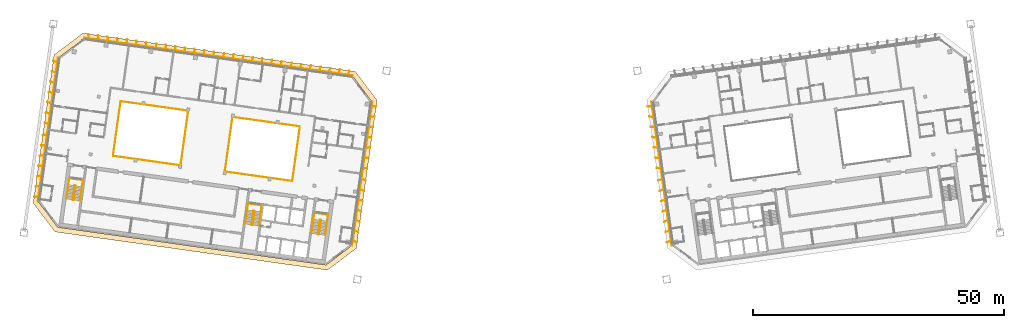
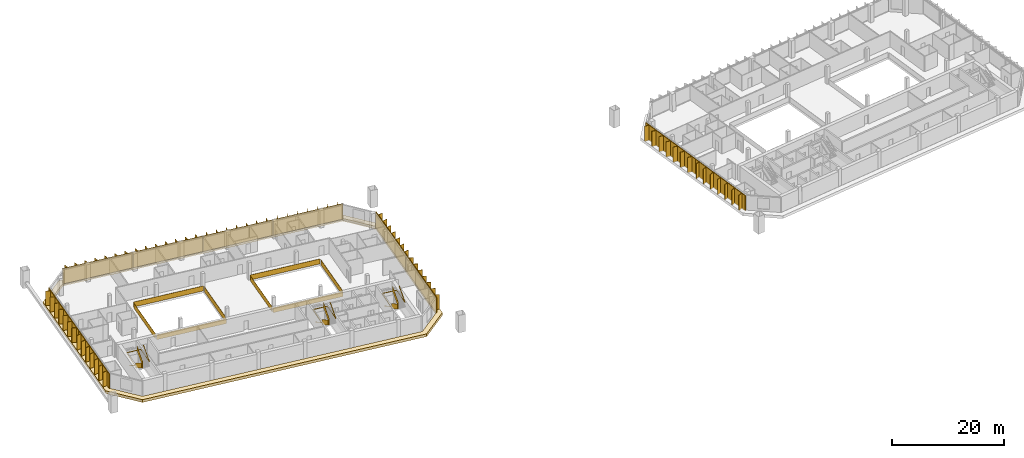
# One storey, part 30 of 31: 14 railings, 10 shading devices, 1 covering.
"""IFC4 building model written with IfcOpenShell, lengths in metres."""

from ifc_helpers import new_model, si_unit, direction, frame, origin, origin_2d, place, context, subcontext, project, spatial, polyline, rectangle, outline, extrude, material, layer, layer_set, type_object, element, save


model = new_model("IFC4")

# Units and contexts
model_context = context("Model", 3, precision=1e-05, world=origin(), true_north=direction((0.0, 1.0)))
body_context = subcontext(model_context, "Body", "Model", "MODEL_VIEW")
ifc_project = project(units=[si_unit("LENGTHUNIT", "METRE"), si_unit("AREAUNIT", "SQUARE_METRE"), si_unit("VOLUMEUNIT", "CUBIC_METRE"), si_unit("PLANEANGLEUNIT", "RADIAN"), si_unit("MASSUNIT", "GRAM", prefix="KILO")], contexts=[model_context])

# Site, building, storey
site_placement = place(None, origin())
site = spatial("IfcSite", under=ifc_project, at=site_placement, CompositionType="ELEMENT")
building_placement = place(site_placement, origin())
building = spatial("IfcBuilding", under=site, at=building_placement, Name="Mirante Cascada Hotel Towers", CompositionType="ELEMENT")
storey_placement = place(building_placement, frame((0.0, 0.0, 157.4)))
storey = spatial("IfcBuildingStorey", under=building, at=storey_placement, Name="L36", CompositionType="ELEMENT", Elevation=157.4)

# Railings
ifc_material_1 = material(Name="Toughened glass with stainless steel handrail", Category="steel")
railing_type_1 = type_object("IfcRailingType", Name="Atrium guard 1100 glass balustrade", PredefinedType="GUARDRAIL", material=ifc_material_1)
railing_1_placement = place(storey_placement, frame((-43.8418, -3.4881, 0.0)))
element("IfcRailing", 1, at=railing_1_placement, inside=storey, type_object=railing_type_1, Name="GUARD 1-L36-1", PredefinedType="GUARDRAIL", context=body_context, shape_type="SweptSolid", body=[
    extrude(rectangle(XDim=0.048, YDim=0.048, at=origin_2d()), frame((0.0, 0.0, 1.076), z_axis=(-0.9902674, 0.1391775, 0.0), x_axis=(-0.1391775, -0.9902674, 0.0)), (0.0, 0.0, 1.0), 13.4792),
    extrude(rectangle(XDim=0.02, YDim=1.052, at=origin_2d()), frame((0.0, 0.0, 0.526), z_axis=(-0.9902674, 0.1391775, 0.0), x_axis=(-0.1391775, -0.9902674, 0.0)), (0.0, 0.0, 1.0), 13.4792),
])
railing_2_placement = place(storey_placement, frame((-55.6589, 9.2808, 0.0)))
element("IfcRailing", 2, at=railing_2_placement, inside=storey, type_object=railing_type_1, Name="GUARD 1-L36-2", PredefinedType="GUARDRAIL", context=body_context, shape_type="SweptSolid", body=[
    extrude(rectangle(XDim=0.048, YDim=0.048, at=origin_2d()), frame((0.0, 0.0, 1.076), z_axis=(0.9902685, -0.1391703, 0.0), x_axis=(0.1391703, 0.9902685, 0.0)), (0.0, 0.0, 1.0), 13.4792),
    extrude(rectangle(XDim=0.02, YDim=1.052, at=origin_2d()), frame((0.0, 0.0, 0.526), z_axis=(0.9902685, -0.1391703, 0.0), x_axis=(0.1391703, 0.9902685, 0.0)), (0.0, 0.0, 1.0), 13.4792),
])
railing_3_placement = place(storey_placement, frame((-66.1081, -0.3588, 0.0)))
element("IfcRailing", 3, at=railing_3_placement, inside=storey, type_object=railing_type_1, Name="GUARD 1-L36-3", PredefinedType="GUARDRAIL", context=body_context, shape_type="SweptSolid", body=[
    extrude(rectangle(XDim=0.048, YDim=0.048, at=origin_2d()), frame((0.0, 0.0, 1.076), z_axis=(-0.9902672, 0.1391793, 0.0), x_axis=(-0.1391793, -0.9902672, 0.0)), (0.0, 0.0, 1.0), 13.5149),
    extrude(rectangle(XDim=0.02, YDim=1.052, at=origin_2d()), frame((0.0, 0.0, 0.526), z_axis=(-0.9902672, 0.1391793, 0.0), x_axis=(-0.1391793, -0.9902672, 0.0)), (0.0, 0.0, 1.0), 13.5149),
    extrude(rectangle(XDim=0.048, YDim=0.048, at=origin_2d()), frame((-13.3834, 1.881, 1.076), z_axis=(0.9889364, -0.1483405, 0.0), x_axis=(0.1483405, 0.9889364, 0.0)), (0.0, 0.0, 1.0), 0.0061),
    extrude(rectangle(XDim=0.02, YDim=1.052, at=origin_2d()), frame((-13.3834, 1.881, 0.526), z_axis=(0.9889364, -0.1483405, 0.0), x_axis=(0.1483405, 0.9889364, 0.0)), (0.0, 0.0, 1.0), 0.0061),
])
railing_4_placement = place(storey_placement, frame((-77.9546, 12.4143, 0.0)))
element("IfcRailing", 4, at=railing_4_placement, inside=storey, type_object=railing_type_1, Name="GUARD 1-L36-4", PredefinedType="GUARDRAIL", context=body_context, shape_type="SweptSolid", body=[
    extrude(rectangle(XDim=0.048, YDim=0.048, at=origin_2d()), frame((0.0, 0.0, 1.076), z_axis=(-0.9912279, 0.1321637, 0.0), x_axis=(-0.1321637, -0.9912279, 0.0)), (0.0, 0.0, 1.0), 0.0061),
    extrude(rectangle(XDim=0.02, YDim=1.052, at=origin_2d()), frame((0.0, 0.0, 0.526), z_axis=(-0.9912279, 0.1321637, 0.0), x_axis=(-0.1321637, -0.9912279, 0.0)), (0.0, 0.0, 1.0), 0.0061),
    extrude(rectangle(XDim=0.048, YDim=0.048, at=origin_2d()), frame((-0.006, 0.0008, 1.076), z_axis=(0.9902682, -0.1391721, 0.0), x_axis=(0.1391721, 0.9902682, 0.0)), (0.0, 0.0, 1.0), 13.5149),
    extrude(rectangle(XDim=0.02, YDim=1.052, at=origin_2d()), frame((-0.006, 0.0008, 0.526), z_axis=(0.9902682, -0.1391721, 0.0), x_axis=(0.1391721, 0.9902682, 0.0)), (0.0, 0.0, 1.0), 13.5149),
])
railing_5_placement = place(storey_placement, frame((-78.0512, 12.1295, 0.0)))
element("IfcRailing", 5, at=railing_5_placement, inside=storey, type_object=railing_type_1, Name="GUARD 1-L36-5", PredefinedType="GUARDRAIL", context=body_context, shape_type="SweptSolid", body=[
    extrude(rectangle(XDim=0.048, YDim=0.048, at=origin_2d()), frame((0.0, 0.0, 1.076), z_axis=(-0.1391762, -0.9902676, 0.0), x_axis=(0.9902676, -0.1391762, 0.0)), (0.0, 0.0, 1.0), 10.4091),
    extrude(rectangle(XDim=0.02, YDim=1.052, at=origin_2d()), frame((0.0, 0.0, 0.526), z_axis=(-0.1391762, -0.9902676, 0.0), x_axis=(0.9902676, -0.1391762, 0.0)), (0.0, 0.0, 1.0), 10.4091),
])
railing_6_placement = place(storey_placement, frame((-66.0184, -0.0728, 0.0)))
element("IfcRailing", 6, at=railing_6_placement, inside=storey, type_object=railing_type_1, Name="GUARD 1-L36-6", PredefinedType="GUARDRAIL", context=body_context, shape_type="SweptSolid", body=[
    extrude(rectangle(XDim=0.048, YDim=0.048, at=origin_2d()), frame((0.0, 0.0, 1.076), z_axis=(0.1391721, 0.9902682, 0.0), x_axis=(-0.9902682, 0.1391721, 0.0)), (0.0, 0.0, 1.0), 10.4087),
    extrude(rectangle(XDim=0.02, YDim=1.052, at=origin_2d()), frame((0.0, 0.0, 0.526), z_axis=(0.1391721, 0.9902682, 0.0), x_axis=(-0.9902682, 0.1391721, 0.0)), (0.0, 0.0, 1.0), 10.4087),
])
railing_7_placement = place(storey_placement, frame((-55.7486, 8.9949, 0.0)))
element("IfcRailing", 7, at=railing_7_placement, inside=storey, type_object=railing_type_1, Name="GUARD 1-L36-7", PredefinedType="GUARDRAIL", context=body_context, shape_type="SweptSolid", body=[
    extrude(rectangle(XDim=0.048, YDim=0.048, at=origin_2d()), frame((0.0, 0.0, 1.076), z_axis=(-0.1391721, -0.9902682, 0.0), x_axis=(0.9902682, -0.1391721, 0.0)), (0.0, 0.0, 1.0), 10.4087),
    extrude(rectangle(XDim=0.02, YDim=1.052, at=origin_2d()), frame((0.0, 0.0, 0.526), z_axis=(-0.1391721, -0.9902682, 0.0), x_axis=(0.9902682, -0.1391721, 0.0)), (0.0, 0.0, 1.0), 10.4087),
])
railing_8_placement = place(storey_placement, frame((-43.7512, -3.2024, 0.0)))
element("IfcRailing", 8, at=railing_8_placement, inside=storey, type_object=railing_type_1, Name="GUARD 1-L36-8", PredefinedType="GUARDRAIL", context=body_context, shape_type="SweptSolid", body=[
    extrude(rectangle(XDim=0.048, YDim=0.048, at=origin_2d()), frame((0.0, 0.0, 1.076), z_axis=(0.1391776, 0.9902674, 0.0), x_axis=(-0.9902674, 0.1391776, 0.0)), (0.0, 0.0, 1.0), 10.409),
    extrude(rectangle(XDim=0.02, YDim=1.052, at=origin_2d()), frame((0.0, 0.0, 0.526), z_axis=(0.1391776, 0.9902674, 0.0), x_axis=(-0.9902674, 0.1391776, 0.0)), (0.0, 0.0, 1.0), 10.409),
])

# Covering
ifc_material_2 = material(Name="Precast concrete C40/50 white", Category="concrete")
ifc_layer = layer(ifc_material_2, 0.6)
ifc_layer_set = layer_set([ifc_layer], Name="Precast concrete SUNSHADE band 1000x600")
covering_type = type_object("IfcCoveringType", Name="Precast concrete SUNSHADE band 1000x600", PredefinedType="CLADDING", material=ifc_layer_set)
covering_placement = place(storey_placement, frame((0.0, 0.0, -0.45)))
element("IfcCovering", 9, at=covering_placement, inside=storey, type_object=covering_type, Name="Precast concrete SUNSHADE band T1 L36", PredefinedType="CLADDING", context=body_context, shape_type="SweptSolid", body=[
    extrude(outline(polyline([(-95.4528, -7.862), (-91.3015, 21.6761), (-85.5574, 26.0046), (-31.2272, 18.369), (-26.8987, 12.6249), (-31.05, -16.9132), (-36.7941, -21.2417), (-91.1243, -13.6061), (-95.4528, -7.862)]), holes=[polyline([(-27.9466, 12.3539), (-31.7765, 17.4364), (-85.2864, 24.9567), (-90.3689, 21.1268), (-94.4049, -7.591), (-90.575, -12.6735), (-37.0651, -20.1938), (-31.9826, -16.3639), (-27.9466, 12.3539)])]), origin(), (0.0, 0.0, 1.0), 0.6),
])

# Railings
ifc_material_3 = material(Name="Painted steel", Category="steel")
railing_type_2 = type_object("IfcRailingType", Name="Stair guard 1100 steel balustrade", PredefinedType="GUARDRAIL", material=ifc_material_3)
railing_9_placement = place(storey_placement, frame((-38.1178, -11.2603, 0.0)))
element("IfcRailing", 10, at=railing_9_placement, inside=storey, type_object=railing_type_2, Name="L36 ST1-A stair guard 1", PredefinedType="GUARDRAIL", context=body_context, shape_type="SweptSolid", body=[
    extrude(rectangle(XDim=0.048, YDim=0.048, at=origin_2d()), frame((0.0, 0.0, 1.076), z_axis=(-0.9903326, 0.1387133, 0.0), x_axis=(-0.1387133, -0.9903326, 0.0)), (0.0, 0.0, 1.0), 0.1499),
    extrude(rectangle(XDim=0.02, YDim=1.052, at=origin_2d()), frame((0.0, 0.0, 0.526), z_axis=(-0.9903326, 0.1387133, 0.0), x_axis=(-0.1387133, -0.9903326, 0.0)), (0.0, 0.0, 1.0), 0.1499),
    extrude(rectangle(XDim=0.048, YDim=0.048, at=origin_2d()), frame((-0.1485, 0.0208, 1.076), z_axis=(-0.7991505, -0.6011309, 0.0), x_axis=(0.6011309, -0.7991505, 0.0)), (0.0, 0.9254529, 0.3788627), 0.1866),
    extrude(rectangle(XDim=0.02, YDim=1.052, at=origin_2d()), frame((-0.1485, 0.0208, 0.526), z_axis=(-0.7991505, -0.6011309, 0.0), x_axis=(0.6011309, -0.7991505, 0.0)), (0.0, 0.9254529, 0.3788627), 0.1866),
    extrude(rectangle(XDim=0.048, YDim=0.048, at=origin_2d()), frame((-0.205, -0.0217, 1.2487), z_axis=(-0.139176, -0.9902677, 0.0), x_axis=(0.9902677, -0.139176, 0.0)), (0.0, 0.5250212, 0.8510891), 3.29),
    extrude(rectangle(XDim=0.02, YDim=1.052, at=origin_2d()), frame((-0.205, -0.0217, 0.6987), z_axis=(-0.139176, -0.9902677, 0.0), x_axis=(0.9902677, -0.139176, 0.0)), (0.0, 0.5250212, 0.8510891), 3.29),
    extrude(rectangle(XDim=0.048, YDim=0.048, at=origin_2d()), frame((-0.5947, -2.7945, 2.976), z_axis=(0.9270311, -0.3749843, 0.0), x_axis=(0.3749843, 0.9270311, 0.0)), (0.0, 0.0, 1.0), 0.2061),
    extrude(rectangle(XDim=0.02, YDim=1.052, at=origin_2d()), frame((-0.5947, -2.7945, 2.426), z_axis=(0.9270311, -0.3749843, 0.0), x_axis=(0.3749843, 0.9270311, 0.0)), (0.0, 0.0, 1.0), 0.2061),
    extrude(rectangle(XDim=0.048, YDim=0.048, at=origin_2d()), frame((-0.4036, -2.8718, 2.976), z_axis=(-0.9902408, 0.1393672, 0.0), x_axis=(-0.1393672, -0.9902408, 0.0)), (0.0, 0.0, 1.0), 0.15),
    extrude(rectangle(XDim=0.02, YDim=1.052, at=origin_2d()), frame((-0.4036, -2.8718, 2.426), z_axis=(-0.9902408, 0.1393672, 0.0), x_axis=(-0.1393672, -0.9902408, 0.0)), (0.0, 0.0, 1.0), 0.15),
    extrude(rectangle(XDim=0.048, YDim=0.048, at=origin_2d()), frame((-0.5521, -2.8509, 2.976), z_axis=(0.9944948, 0.1047858, 0.0), x_axis=(-0.1047858, 0.9944948, 0.0)), (0.0, 0.6422034, 0.7665343), 0.2689),
    extrude(rectangle(XDim=0.02, YDim=1.052, at=origin_2d()), frame((-0.5521, -2.8509, 2.426), z_axis=(0.9944948, 0.1047858, 0.0), x_axis=(-0.1047858, 0.9944948, 0.0)), (0.0, 0.6422034, 0.7665343), 0.2689),
    extrude(rectangle(XDim=0.048, YDim=0.048, at=origin_2d()), frame((-0.3471, -2.8293, 3.1487), z_axis=(0.139176, 0.9902677, 0.0), x_axis=(-0.9902677, 0.139176, 0.0)), (0.0, 0.5250212, 0.8510891), 3.29),
    extrude(rectangle(XDim=0.02, YDim=1.052, at=origin_2d()), frame((-0.3471, -2.8293, 2.5987), z_axis=(0.139176, 0.9902677, 0.0), x_axis=(-0.9902677, 0.139176, 0.0)), (0.0, 0.5250212, 0.8510891), 3.29),
])
railing_10_placement = place(storey_placement, frame((-51.3379, -9.4024, 0.0)))
element("IfcRailing", 11, at=railing_10_placement, inside=storey, type_object=railing_type_2, Name="L36 ST1-B stair guard 1", PredefinedType="GUARDRAIL", context=body_context, shape_type="SweptSolid", body=[
    extrude(rectangle(XDim=0.048, YDim=0.048, at=origin_2d()), frame((0.0, 0.0, 1.076), z_axis=(-0.9902408, 0.1393672, 0.0), x_axis=(-0.1393672, -0.9902408, 0.0)), (0.0, 0.0, 1.0), 0.15),
    extrude(rectangle(XDim=0.02, YDim=1.052, at=origin_2d()), frame((0.0, 0.0, 0.526), z_axis=(-0.9902408, 0.1393672, 0.0), x_axis=(-0.1393672, -0.9902408, 0.0)), (0.0, 0.0, 1.0), 0.15),
    extrude(rectangle(XDim=0.048, YDim=0.048, at=origin_2d()), frame((-0.1485, 0.0209, 1.076), z_axis=(-0.7984711, -0.6020331, 0.0), x_axis=(0.6020331, -0.7984711, 0.0)), (0.0, 0.9253398, 0.3791387), 0.1866),
    extrude(rectangle(XDim=0.02, YDim=1.052, at=origin_2d()), frame((-0.1485, 0.0209, 0.526), z_axis=(-0.7984711, -0.6020331, 0.0), x_axis=(0.6020331, -0.7984711, 0.0)), (0.0, 0.9253398, 0.3791387), 0.1866),
    extrude(rectangle(XDim=0.048, YDim=0.048, at=origin_2d()), frame((-0.205, -0.0217, 1.2487), z_axis=(-0.139181, -0.990267, 0.0), x_axis=(0.990267, -0.139181, 0.0)), (0.0, 0.5250347, 0.8510808), 3.2899),
    extrude(rectangle(XDim=0.02, YDim=1.052, at=origin_2d()), frame((-0.205, -0.0217, 0.6987), z_axis=(-0.139181, -0.990267, 0.0), x_axis=(0.990267, -0.139181, 0.0)), (0.0, 0.5250347, 0.8510808), 3.2899),
    extrude(rectangle(XDim=0.048, YDim=0.048, at=origin_2d()), frame((-0.5947, -2.7944, 2.976), z_axis=(0.9268624, -0.3754011, 0.0), x_axis=(0.3754011, 0.9268624, 0.0)), (0.0, 0.0, 1.0), 0.2062),
    extrude(rectangle(XDim=0.02, YDim=1.052, at=origin_2d()), frame((-0.5947, -2.7944, 2.426), z_axis=(0.9268624, -0.3754011, 0.0), x_axis=(0.3754011, 0.9268624, 0.0)), (0.0, 0.0, 1.0), 0.2062),
    extrude(rectangle(XDim=0.048, YDim=0.048, at=origin_2d()), frame((-0.4036, -2.8718, 2.976), z_axis=(-0.9902408, 0.1393672, 0.0), x_axis=(-0.1393672, -0.9902408, 0.0)), (0.0, 0.0, 1.0), 0.15),
    extrude(rectangle(XDim=0.02, YDim=1.052, at=origin_2d()), frame((-0.4036, -2.8718, 2.426), z_axis=(-0.9902408, 0.1393672, 0.0), x_axis=(-0.1393672, -0.9902408, 0.0)), (0.0, 0.0, 1.0), 0.15),
    extrude(rectangle(XDim=0.048, YDim=0.048, at=origin_2d()), frame((-0.5521, -2.8509, 2.976), z_axis=(0.9944441, 0.1052656, 0.0), x_axis=(-0.1052656, 0.9944441, 0.0)), (0.0, 0.6421842, 0.7665504), 0.2689),
    extrude(rectangle(XDim=0.02, YDim=1.052, at=origin_2d()), frame((-0.5521, -2.8509, 2.426), z_axis=(0.9944441, 0.1052656, 0.0), x_axis=(-0.1052656, 0.9944441, 0.0)), (0.0, 0.6421842, 0.7665504), 0.2689),
    extrude(rectangle(XDim=0.048, YDim=0.048, at=origin_2d()), frame((-0.3471, -2.8292, 3.1487), z_axis=(0.139181, 0.990267, 0.0), x_axis=(-0.990267, 0.139181, 0.0)), (0.0, 0.5250347, 0.8510808), 3.2899),
    extrude(rectangle(XDim=0.02, YDim=1.052, at=origin_2d()), frame((-0.3471, -2.8292, 2.5987), z_axis=(0.139181, 0.990267, 0.0), x_axis=(-0.990267, 0.139181, 0.0)), (0.0, 0.5250347, 0.8510808), 3.2899),
])
railing_11_placement = place(storey_placement, frame((-86.9875, -4.3922, 0.0)))
element("IfcRailing", 12, at=railing_11_placement, inside=storey, type_object=railing_type_2, Name="L36 ST1-C stair guard 1", PredefinedType="GUARDRAIL", context=body_context, shape_type="SweptSolid", body=[
    extrude(rectangle(XDim=0.048, YDim=0.048, at=origin_2d()), frame((0.0, 0.0, 1.076), z_axis=(-0.9902537, 0.1392753, 0.0), x_axis=(-0.1392753, -0.9902537, 0.0)), (0.0, 0.0, 1.0), 0.1501),
    extrude(rectangle(XDim=0.02, YDim=1.052, at=origin_2d()), frame((0.0, 0.0, 0.526), z_axis=(-0.9902537, 0.1392753, 0.0), x_axis=(-0.1392753, -0.9902537, 0.0)), (0.0, 0.0, 1.0), 0.1501),
    extrude(rectangle(XDim=0.048, YDim=0.048, at=origin_2d()), frame((-0.1486, 0.0209, 1.076), z_axis=(-0.7986386, -0.601811, 0.0), x_axis=(0.601811, -0.7986386, 0.0)), (0.0, 0.925603, 0.3784959), 0.1866),
    extrude(rectangle(XDim=0.02, YDim=1.052, at=origin_2d()), frame((-0.1486, 0.0209, 0.526), z_axis=(-0.7986386, -0.601811, 0.0), x_axis=(0.601811, -0.7986386, 0.0)), (0.0, 0.925603, 0.3784959), 0.1866),
    extrude(rectangle(XDim=0.048, YDim=0.048, at=origin_2d()), frame((-0.205, -0.0216, 1.2487), z_axis=(-0.139176, -0.9902677, 0.0), x_axis=(0.9902677, -0.139176, 0.0)), (0.0, 0.5250212, 0.8510891), 3.29),
    extrude(rectangle(XDim=0.02, YDim=1.052, at=origin_2d()), frame((-0.205, -0.0216, 0.6987), z_axis=(-0.139176, -0.9902677, 0.0), x_axis=(0.9902677, -0.139176, 0.0)), (0.0, 0.5250212, 0.8510891), 3.29),
    extrude(rectangle(XDim=0.048, YDim=0.048, at=origin_2d()), frame((-0.5947, -2.7944, 2.976), z_axis=(0.9270311, -0.3749843, 0.0), x_axis=(0.3749843, 0.9270311, 0.0)), (0.0, 0.0, 1.0), 0.2061),
    extrude(rectangle(XDim=0.02, YDim=1.052, at=origin_2d()), frame((-0.5947, -2.7944, 2.426), z_axis=(0.9270311, -0.3749843, 0.0), x_axis=(0.3749843, 0.9270311, 0.0)), (0.0, 0.0, 1.0), 0.2061),
    extrude(rectangle(XDim=0.048, YDim=0.048, at=origin_2d()), frame((-0.4036, -2.8717, 2.976), z_axis=(-0.9903454, 0.1386217, 0.0), x_axis=(-0.1386217, -0.9903454, 0.0)), (0.0, 0.0, 1.0), 0.15),
    extrude(rectangle(XDim=0.02, YDim=1.052, at=origin_2d()), frame((-0.4036, -2.8717, 2.426), z_axis=(-0.9903454, 0.1386217, 0.0), x_axis=(-0.1386217, -0.9903454, 0.0)), (0.0, 0.0, 1.0), 0.15),
    extrude(rectangle(XDim=0.048, YDim=0.048, at=origin_2d()), frame((-0.5522, -2.8509, 2.976), z_axis=(0.9944441, 0.1052656, 0.0), x_axis=(-0.1052656, 0.9944441, 0.0)), (0.0, 0.6421842, 0.7665504), 0.2689),
    extrude(rectangle(XDim=0.02, YDim=1.052, at=origin_2d()), frame((-0.5522, -2.8509, 2.426), z_axis=(0.9944441, 0.1052656, 0.0), x_axis=(-0.1052656, 0.9944441, 0.0)), (0.0, 0.6421842, 0.7665504), 0.2689),
    extrude(rectangle(XDim=0.048, YDim=0.048, at=origin_2d()), frame((-0.3472, -2.8292, 3.1487), z_axis=(0.139176, 0.9902677, 0.0), x_axis=(-0.9902677, 0.139176, 0.0)), (0.0, 0.5250212, 0.8510891), 3.29),
    extrude(rectangle(XDim=0.02, YDim=1.052, at=origin_2d()), frame((-0.3472, -2.8292, 2.5987), z_axis=(0.139176, 0.9902677, 0.0), x_axis=(-0.9902677, 0.139176, 0.0)), (0.0, 0.5250212, 0.8510891), 3.29),
])
ifc_material_4 = material(Name="Painted steel", Category="steel")
railing_type_3 = type_object("IfcRailingType", Name="Stair handrail 900 steel tube", PredefinedType="HANDRAIL", material=ifc_material_4)
railing_12_placement = place(storey_placement, frame((-39.5606, -11.1081, 0.1727)))
element("IfcRailing", 13, at=railing_12_placement, inside=storey, type_object=railing_type_3, Name="L36 ST1-A stair handrail 1", PredefinedType="HANDRAIL", context=body_context, shape_type="SweptSolid", body=[
    extrude(rectangle(XDim=0.048, YDim=0.048, at=origin_2d()), frame((0.0, 0.0, 0.876), z_axis=(-0.139181, -0.990267, 0.0), x_axis=(0.990267, -0.139181, 0.0)), (0.0, 0.5250347, 0.8510808), 3.2899),
    extrude(rectangle(XDim=0.048, YDim=0.048, at=origin_2d()), frame((-0.3897, -2.7727, 2.6033), z_axis=(0.1391707, 0.9902684, 0.0), x_axis=(-0.9902684, 0.1391707, 0.0)), (0.0, 0.0420846, 0.999114), 4.1036),
    extrude(rectangle(XDim=0.048, YDim=0.048, at=origin_2d()), frame((0.1809, 1.2874, 2.776), z_axis=(0.9902691, -0.1391657, 0.0), x_axis=(0.1391657, 0.9902691, 0.0)), (0.0, 0.0, 1.0), 2.75),
    extrude(rectangle(XDim=0.048, YDim=0.048, at=origin_2d()), frame((2.9041, 0.9047, 2.776), z_axis=(-0.1391707, -0.9902684, 0.0), x_axis=(0.9902684, -0.1391707, 0.0)), (0.0, 0.0, 1.0), 4.1),
    extrude(rectangle(XDim=0.048, YDim=0.048, at=origin_2d()), frame((2.3335, -3.1554, 2.776), z_axis=(0.139181, 0.990267, 0.0), x_axis=(-0.990267, 0.139181, 0.0)), (0.0, 0.5250347, 0.8510808), 3.2899),
])
railing_13_placement = place(storey_placement, frame((-52.7807, -9.2501, 0.1727)))
element("IfcRailing", 14, at=railing_13_placement, inside=storey, type_object=railing_type_3, Name="L36 ST1-B stair handrail 1", PredefinedType="HANDRAIL", context=body_context, shape_type="SweptSolid", body=[
    extrude(rectangle(XDim=0.048, YDim=0.048, at=origin_2d()), frame((0.0, 0.0, 0.876), z_axis=(-0.139181, -0.990267, 0.0), x_axis=(0.990267, -0.139181, 0.0)), (0.0, 0.5250347, 0.8510808), 3.2899),
    extrude(rectangle(XDim=0.048, YDim=0.048, at=origin_2d()), frame((-0.3897, -2.7727, 2.6033), z_axis=(0.1391707, 0.9902684, 0.0), x_axis=(-0.9902684, 0.1391707, 0.0)), (0.0, 0.0420846, 0.999114), 4.1036),
    extrude(rectangle(XDim=0.048, YDim=0.048, at=origin_2d()), frame((0.1809, 1.2874, 2.776), z_axis=(0.9902641, -0.1392013, 0.0), x_axis=(0.1392013, 0.9902641, 0.0)), (0.0, 0.0, 1.0), 2.75),
    extrude(rectangle(XDim=0.048, YDim=0.048, at=origin_2d()), frame((2.9041, 0.9046, 2.776), z_axis=(-0.1391707, -0.9902684, 0.0), x_axis=(0.9902684, -0.1391707, 0.0)), (0.0, 0.0, 1.0), 4.1),
    extrude(rectangle(XDim=0.048, YDim=0.048, at=origin_2d()), frame((2.3335, -3.1555, 2.776), z_axis=(0.139176, 0.9902677, 0.0), x_axis=(-0.9902677, 0.139176, 0.0)), (0.0, 0.5250212, 0.8510891), 3.29),
])
railing_14_placement = place(storey_placement, frame((-88.4304, -4.2399, 0.1727)))
element("IfcRailing", 15, at=railing_14_placement, inside=storey, type_object=railing_type_3, Name="L36 ST1-C stair handrail 1", PredefinedType="HANDRAIL", context=body_context, shape_type="SweptSolid", body=[
    extrude(rectangle(XDim=0.048, YDim=0.048, at=origin_2d()), frame((0.0, 0.0, 0.876), z_axis=(-0.139181, -0.990267, 0.0), x_axis=(0.990267, -0.139181, 0.0)), (0.0, 0.5250347, 0.8510808), 3.2899),
    extrude(rectangle(XDim=0.048, YDim=0.048, at=origin_2d()), frame((-0.3897, -2.7727, 2.6033), z_axis=(0.1391947, 0.990265, 0.0), x_axis=(-0.990265, 0.1391947, 0.0)), (0.0, 0.0420845, 0.9991141), 4.1036),
    extrude(rectangle(XDim=0.048, YDim=0.048, at=origin_2d()), frame((0.181, 1.2874, 2.776), z_axis=(0.9902691, -0.1391657, 0.0), x_axis=(0.1391657, 0.9902691, 0.0)), (0.0, 0.0, 1.0), 2.75),
    extrude(rectangle(XDim=0.048, YDim=0.048, at=origin_2d()), frame((2.9042, 0.9047, 2.776), z_axis=(-0.1391707, -0.9902684, 0.0), x_axis=(0.9902684, -0.1391707, 0.0)), (0.0, 0.0, 1.0), 4.1),
    extrude(rectangle(XDim=0.048, YDim=0.048, at=origin_2d()), frame((2.3336, -3.1554, 2.776), z_axis=(0.139181, 0.990267, 0.0), x_axis=(-0.990267, 0.139181, 0.0)), (0.0, 0.5250347, 0.8510808), 3.2899),
])

# Shading devices
ifc_material_5 = material(Name="White precast concrete C50/60 fin", Category="concrete")
shading_device_type = type_object("IfcShadingDeviceType", Name="Vertical fin set 4500x900", PredefinedType="USERDEFINED", material=ifc_material_5)
shading_device_1_placement = place(storey_placement, origin())
element("IfcShadingDevice", 16, at=shading_device_1_placement, inside=storey, type_object=shading_device_type, Name="FIN T1 L36 front 1", ObjectType="FIN", PredefinedType="USERDEFINED", context=body_context, shape_type="SweptSolid", body=[
    extrude(outline(polyline([(-72.8158, 23.3556), (-71.888, 23.2252), (-71.9089, 23.0766), (-85.2864, 24.9567), (-85.2655, 25.1053), (-84.3643, 24.9786), (-84.4663, 25.8099), (-84.3869, 25.8196), (-84.2822, 24.9671), (-82.4532, 24.71), (-82.5553, 25.5413), (-82.4759, 25.551), (-82.3712, 24.6985), (-80.5421, 24.4414), (-80.6442, 25.2727), (-80.5648, 25.2825), (-80.4601, 24.4299), (-78.6311, 24.1728), (-78.7331, 25.0041), (-78.6537, 25.0139), (-78.549, 24.1613), (-76.72, 23.9043), (-76.8221, 24.7355), (-76.7427, 24.7453), (-76.638, 23.8927), (-74.8089, 23.6357), (-74.911, 24.467), (-74.8316, 24.4767), (-74.7269, 23.6242), (-72.8979, 23.3671), (-72.9999, 24.1984), (-72.9205, 24.2081), (-72.8158, 23.3556)])), origin(), (0.0, 0.0, 1.0), 3.35),
])
shading_device_2_placement = place(storey_placement, origin())
element("IfcShadingDevice", 17, at=shading_device_2_placement, inside=storey, type_object=shading_device_type, Name="FIN T1 L36 front 2", ObjectType="FIN", PredefinedType="USERDEFINED", context=body_context, shape_type="SweptSolid", body=[
    extrude(outline(polyline([(-59.4307, 21.4744), (-58.5106, 21.3451), (-58.5315, 21.1966), (-71.9089, 23.0766), (-71.888, 23.2252), (-70.9766, 23.0971), (-70.9323, 23.9422), (-70.8524, 23.938), (-70.8971, 23.0859), (-69.0655, 22.8285), (-69.0213, 23.6737), (-68.9414, 23.6695), (-68.986, 22.8173), (-67.1545, 22.5599), (-67.1102, 23.4051), (-67.0303, 23.4009), (-67.075, 22.5487), (-65.2434, 22.2913), (-65.1991, 23.1365), (-65.1192, 23.1323), (-65.1639, 22.2802), (-63.3323, 22.0228), (-63.2881, 22.8679), (-63.2082, 22.8637), (-63.2528, 22.0116), (-61.4213, 21.7542), (-61.377, 22.5993), (-61.2971, 22.5951), (-61.3418, 21.743), (-59.5102, 21.4856), (-59.4659, 22.3307), (-59.386, 22.3266), (-59.4307, 21.4744)])), origin(), (0.0, 0.0, 1.0), 3.35),
])
shading_device_3_placement = place(storey_placement, origin())
element("IfcShadingDevice", 18, at=shading_device_3_placement, inside=storey, type_object=shading_device_type, Name="FIN T1 L36 front 3", ObjectType="FIN", PredefinedType="USERDEFINED", context=body_context, shape_type="SweptSolid", body=[
    extrude(outline(polyline([(-46.0446, 19.5931), (-45.1331, 19.465), (-45.154, 19.3165), (-58.5315, 21.1966), (-58.5106, 21.3451), (-57.5905, 21.2158), (-57.3985, 22.0472), (-57.3206, 22.0292), (-57.511, 21.2046), (-55.6794, 20.9472), (-55.4875, 21.7786), (-55.4095, 21.7606), (-55.5999, 20.936), (-53.7683, 20.6786), (-53.5764, 21.5101), (-53.4984, 21.4921), (-53.6888, 20.6674), (-51.8573, 20.41), (-51.6653, 21.2415), (-51.5874, 21.2235), (-51.7778, 20.3989), (-49.9462, 20.1415), (-49.7543, 20.9729), (-49.6763, 20.9549), (-49.8667, 20.1303), (-48.0351, 19.8729), (-47.8432, 20.7043), (-47.7652, 20.6863), (-47.9556, 19.8617), (-46.1241, 19.6043), (-45.9321, 20.4357), (-45.8542, 20.4177), (-46.0446, 19.5931)])), origin(), (0.0, 0.0, 1.0), 3.35),
])
shading_device_4_placement = place(storey_placement, origin())
element("IfcShadingDevice", 19, at=shading_device_4_placement, inside=storey, type_object=shading_device_type, Name="FIN T1 L36 front 4", ObjectType="FIN", PredefinedType="USERDEFINED", context=body_context, shape_type="SweptSolid", body=[
    extrude(outline(polyline([(-32.6569, 17.7116), (-31.7556, 17.5849), (-31.7765, 17.4364), (-45.154, 19.3165), (-45.1331, 19.465), (-44.2053, 19.3346), (-43.8697, 20.1253), (-43.7961, 20.094), (-44.1233, 19.3231), (-42.2943, 19.066), (-41.9586, 19.8567), (-41.885, 19.8255), (-42.2122, 19.0545), (-40.3832, 18.7975), (-40.0476, 19.5881), (-39.9739, 19.5569), (-40.3012, 18.7859), (-38.4721, 18.5289), (-38.1365, 19.3195), (-38.0629, 19.2883), (-38.3901, 18.5174), (-36.5611, 18.2603), (-36.2254, 19.051), (-36.1518, 19.0197), (-36.479, 18.2488), (-34.65, 17.9917), (-34.3144, 18.7824), (-34.2407, 18.7511), (-34.568, 17.9802), (-32.7389, 17.7231), (-32.4033, 18.5138), (-32.3297, 18.4825), (-32.6569, 17.7116)])), origin(), (0.0, 0.0, 1.0), 3.35),
])
shading_device_5_placement = place(storey_placement, origin())
element("IfcShadingDevice", 20, at=shading_device_5_placement, inside=storey, type_object=shading_device_type, Name="FIN T1 L36 inner 1", ObjectType="FIN", PredefinedType="USERDEFINED", context=body_context, shape_type="SweptSolid", body=[
    extrude(outline(polyline([(-29.6758, -1.028), (-29.8161, -2.0259), (-29.9646, -2.005), (-27.9466, 12.3539), (-27.7981, 12.333), (-27.9346, 11.3617), (-27.1033, 11.4637), (-27.0935, 11.3843), (-27.9461, 11.2797), (-28.2229, 9.3104), (-27.3916, 9.4125), (-27.3818, 9.3331), (-28.2344, 9.2284), (-28.5111, 7.2591), (-27.6799, 7.3612), (-27.6701, 7.2818), (-28.5227, 7.1771), (-28.7994, 5.2079), (-27.9682, 5.3099), (-27.9584, 5.2305), (-28.811, 5.1259), (-29.0877, 3.1566), (-28.2564, 3.2587), (-28.2467, 3.1793), (-29.0992, 3.0746), (-29.376, 1.1053), (-28.5447, 1.2074), (-28.535, 1.128), (-29.3875, 1.0233), (-29.6643, -0.9459), (-28.833, -0.8439), (-28.8233, -0.9233), (-29.6758, -1.028)])), origin(), (0.0, 0.0, 1.0), 3.35),
])
shading_device_6_placement = place(storey_placement, origin())
element("IfcShadingDevice", 21, at=shading_device_6_placement, inside=storey, type_object=shading_device_type, Name="FIN T1 L36 inner 2", ObjectType="FIN", PredefinedType="USERDEFINED", context=body_context, shape_type="SweptSolid", body=[
    extrude(outline(polyline([(-31.6976, -15.4134), (-31.8341, -16.3847), (-31.9826, -16.3639), (-29.9646, -2.005), (-29.8161, -2.0259), (-29.9563, -3.0237), (-29.1656, -3.3594), (-29.1969, -3.433), (-29.9678, -3.1058), (-30.2446, -5.075), (-29.4539, -5.4106), (-29.4852, -5.4843), (-30.2561, -5.157), (-30.5329, -7.1263), (-29.7422, -7.4619), (-29.7735, -7.5355), (-30.5444, -7.2083), (-30.8212, -9.1776), (-30.0305, -9.5132), (-30.0618, -9.5868), (-30.8327, -9.2596), (-31.1095, -11.2288), (-30.3188, -11.5644), (-30.35, -11.6381), (-31.121, -11.3108), (-31.3977, -13.2801), (-30.6071, -13.6157), (-30.6383, -13.6894), (-31.4093, -13.3621), (-31.686, -15.3314), (-30.8954, -15.667), (-30.9266, -15.7406), (-31.6976, -15.4134)])), origin(), (0.0, 0.0, 1.0), 3.35),
])
shading_device_7_placement = place(storey_placement, origin())
element("IfcShadingDevice", 22, at=shading_device_7_placement, inside=storey, type_object=shading_device_type, Name="FIN T1 L36 outer 1", ObjectType="FIN", PredefinedType="USERDEFINED", context=body_context, shape_type="SweptSolid", body=[
    extrude(outline(polyline([(-94.4054, -6.5167), (-94.1286, -4.5475), (-94.9599, -4.6495), (-94.9697, -4.5701), (-94.1171, -4.4655), (-93.8403, -2.4962), (-94.6716, -2.5983), (-94.6814, -2.5189), (-93.8288, -2.4142), (-93.5521, -0.4449), (-94.3833, -0.547), (-94.3931, -0.4676), (-93.5405, -0.3629), (-93.2638, 1.6063), (-94.095, 1.5043), (-94.1048, 1.5837), (-93.2522, 1.6883), (-92.9755, 3.6576), (-93.8068, 3.5555), (-93.8165, 3.6349), (-92.964, 3.7396), (-92.6872, 5.7089), (-93.5185, 5.6068), (-93.5282, 5.6862), (-92.6757, 5.7909), (-92.5354, 6.7888), (-92.3869, 6.7679), (-94.4049, -7.591), (-94.5534, -7.5701), (-94.4169, -6.5987), (-95.2482, -6.7008), (-95.2579, -6.6214), (-94.4054, -6.5167)])), origin(), (0.0, 0.0, 1.0), 3.35),
])
shading_device_8_placement = place(storey_placement, origin())
element("IfcShadingDevice", 23, at=shading_device_8_placement, inside=storey, type_object=shading_device_type, Name="FIN T1 L36 outer 2", ObjectType="FIN", PredefinedType="USERDEFINED", context=body_context, shape_type="SweptSolid", body=[
    extrude(outline(polyline([(-92.3837, 7.8687), (-92.1069, 9.8379), (-92.8976, 10.1736), (-92.8663, 10.2472), (-92.0954, 9.92), (-91.8186, 11.8892), (-92.6093, 12.2248), (-92.578, 12.2985), (-91.8071, 11.9712), (-91.5303, 13.9405), (-92.321, 14.2761), (-92.2897, 14.3497), (-91.5188, 14.0225), (-91.242, 15.9918), (-92.0327, 16.3274), (-92.0014, 16.401), (-91.2305, 16.0738), (-90.9537, 18.043), (-91.7444, 18.3786), (-91.7132, 18.4523), (-90.9422, 18.125), (-90.6655, 20.0943), (-91.4561, 20.4299), (-91.4249, 20.5036), (-90.6539, 20.1763), (-90.5174, 21.1477), (-90.3689, 21.1268), (-92.3869, 6.7679), (-92.5354, 6.7888), (-92.3952, 7.7867), (-93.1859, 8.1223), (-93.1546, 8.1959), (-92.3837, 7.8687)])), origin(), (0.0, 0.0, 1.0), 3.35),
])
shading_device_9_placement = place(storey_placement, origin())
element("IfcShadingDevice", 24, at=shading_device_9_placement, inside=storey, type_object=shading_device_type, Name="FIN T2 L36 inner 1", ObjectType="FIN", PredefinedType="USERDEFINED", context=body_context, shape_type="SweptSolid", body=[
    extrude(outline(polyline([(28.833, -0.8439), (29.6643, -0.9459), (29.3875, 1.0233), (28.535, 1.128), (28.5447, 1.2074), (29.376, 1.1053), (29.0992, 3.0746), (28.2467, 3.1793), (28.2564, 3.2587), (29.0877, 3.1566), (28.811, 5.1259), (27.9584, 5.2305), (27.9682, 5.3099), (28.7994, 5.2079), (28.5227, 7.1771), (27.6701, 7.2818), (27.6799, 7.3612), (28.5111, 7.2591), (28.2344, 9.2284), (27.3818, 9.3331), (27.3916, 9.4125), (28.2229, 9.3104), (27.9461, 11.2797), (27.0935, 11.3843), (27.1033, 11.4637), (27.9346, 11.3617), (27.7981, 12.333), (27.9466, 12.3539), (29.9646, -2.005), (29.8161, -2.0259), (29.6758, -1.028), (28.8233, -0.9233), (28.833, -0.8439)])), origin(), (0.0, 0.0, 1.0), 3.35),
])
shading_device_10_placement = place(storey_placement, origin())
element("IfcShadingDevice", 25, at=shading_device_10_placement, inside=storey, type_object=shading_device_type, Name="FIN T2 L36 inner 2", ObjectType="FIN", PredefinedType="USERDEFINED", context=body_context, shape_type="SweptSolid", body=[
    extrude(outline(polyline([(30.8954, -15.667), (31.686, -15.3314), (31.4093, -13.3621), (30.6383, -13.6894), (30.6071, -13.6157), (31.3977, -13.2801), (31.121, -11.3108), (30.35, -11.6381), (30.3188, -11.5644), (31.1095, -11.2288), (30.8327, -9.2596), (30.0618, -9.5868), (30.0305, -9.5132), (30.8212, -9.1776), (30.5444, -7.2083), (29.7735, -7.5355), (29.7422, -7.4619), (30.5329, -7.1263), (30.2561, -5.157), (29.4852, -5.4843), (29.4539, -5.4106), (30.2446, -5.075), (29.9678, -3.1058), (29.1969, -3.433), (29.1656, -3.3594), (29.9563, -3.0237), (29.8161, -2.0259), (29.9646, -2.005), (31.9826, -16.3639), (31.8341, -16.3847), (31.6976, -15.4134), (30.9266, -15.7406), (30.8954, -15.667)])), origin(), (0.0, 0.0, 1.0), 3.35),
])

save(model, "model.ifc")
